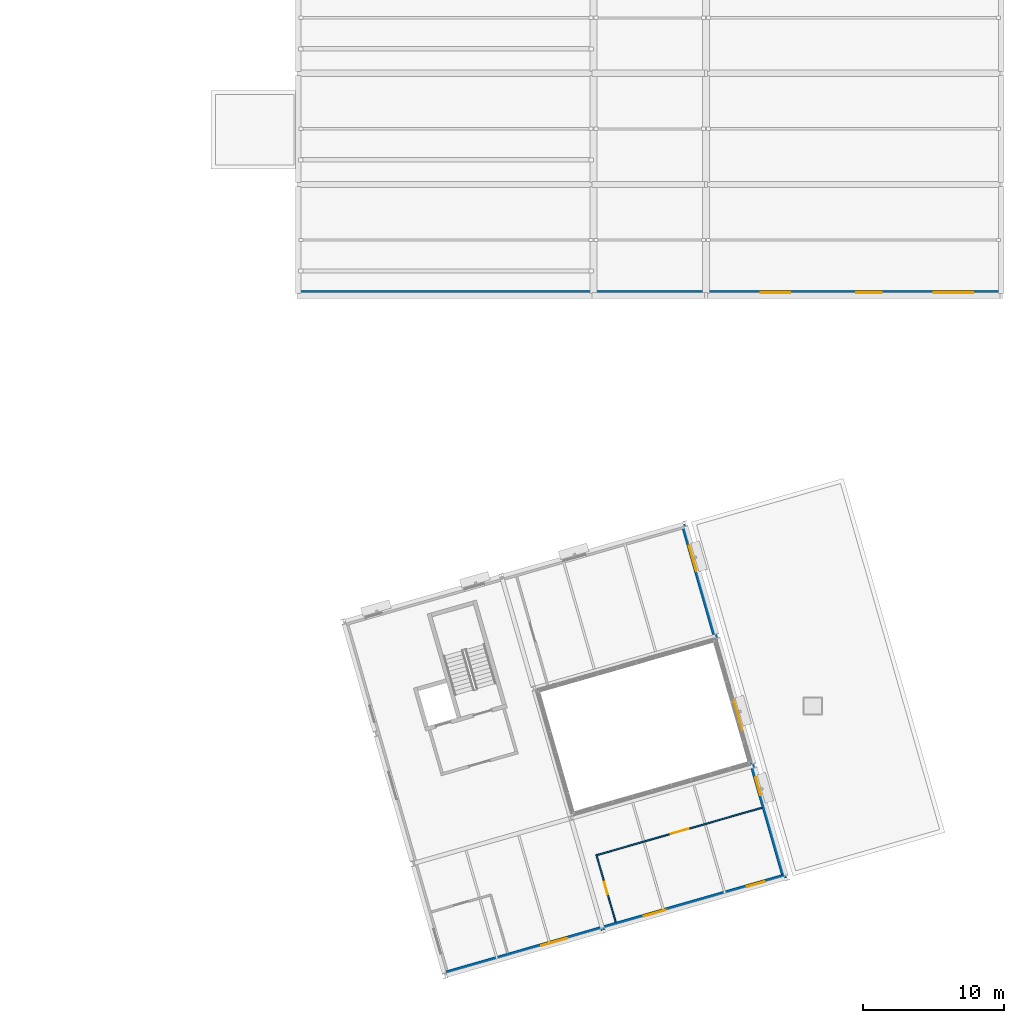
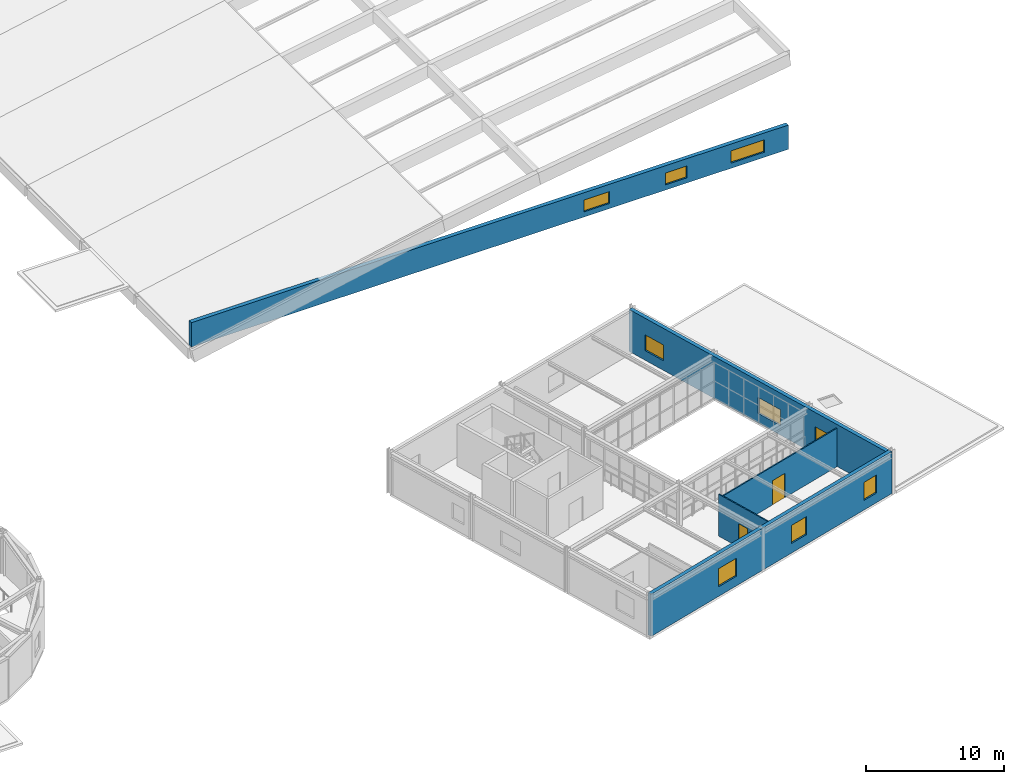
# One storey, part 31 of 44: 9 windows, 5 walls, 2 doors, 11 openings.
"""IFC4 building model written with IfcOpenShell, lengths in metres."""

from ifc_helpers import new_model, si_unit, direction, frame, frame_2d, origin, place, context, subcontext, project, spatial, rectangle, extrude, material, layer, layer_set, type_object, element, fill, save


model = new_model("IFC4")

# Units and contexts
model_context = context("Model", 3, precision=1e-05, world=origin(), true_north=direction((0.0, 1.0)))
body_context = subcontext(model_context, "Body", "Model", "MODEL_VIEW")
ifc_project = project(units=[si_unit("LENGTHUNIT", "METRE"), si_unit("AREAUNIT", "SQUARE_METRE"), si_unit("VOLUMEUNIT", "CUBIC_METRE"), si_unit("PLANEANGLEUNIT", "RADIAN"), si_unit("MASSUNIT", "GRAM", prefix="KILO")], contexts=[model_context])

# Site, building, storey
site_placement = place(None, origin())
site = spatial("IfcSite", under=ifc_project, at=site_placement, CompositionType="ELEMENT")
building_placement = place(site_placement, origin())
building = spatial("IfcBuilding", under=site, at=building_placement, Name="Varnklinge Art Gallery", CompositionType="ELEMENT")
storey_placement = place(building_placement, frame((0.0, 0.0, 13.679931640625)))
storey = spatial("IfcBuildingStorey", under=building, at=storey_placement, Name="L03", CompositionType="ELEMENT", Elevation=13.679931640625)

# Wall, openings, windows
ifc_material_1 = material(Name="Precast concrete C40/50", Category="concrete")
ifc_layer_1 = layer(ifc_material_1, 0.320068359375)
ifc_layer_set_1 = layer_set([ifc_layer_1], Name="Precast concrete C40/50")
wall_type_1 = type_object("IfcWallType", Name="EW-32", PredefinedType="SOLIDWALL", material=ifc_layer_set_1)
wall_1_placement = place(storey_placement, frame((141.77197265625, 41.9228515625, 0.0), z_axis=(0.0, 0.0, 1.0), x_axis=(0.275633622707, -0.961262766383, 0.0)))
wall_1 = element("IfcWall", 1, at=wall_1_placement, inside=storey, type_object=wall_type_1, Name="L03 Exterior Wall EW-V6-L03-03", PredefinedType="SOLIDWALL", context=body_context, shape_type="SweptSolid", body=[
    extrude(rectangle(XDim=26.0400390625, YDim=0.320068359375, at=frame_2d((13.02001953125, 0.0))), origin(), (0.0, 0.0, 1.0), 3.719970703125),
])
opening_1_placement = place(wall_1_placement, frame((1.60009765625, 0.0, 0.85009765625)))
opening_1 = element("IfcOpeningElement", 2, at=opening_1_placement, cuts=wall_1, Name="Opening WN-24", PredefinedType="OPENING", context=body_context, shape_type="SweptSolid", body=[
    extrude(rectangle(XDim=1.85009765625, YDim=1.39990234375, at=frame_2d((0.925048828125, 0.699951171875))), frame((0.0, 0.170166015625, 0.0), z_axis=(0.0, -1.0, 0.0), x_axis=(1.0, 0.0, 0.0)), (0.0, 0.0, 1.0), 0.340087890625),
])
opening_2_placement = place(wall_1_placement, frame((13.02001953125, 0.0, 0.85009765625)))
opening_2 = element("IfcOpeningElement", 3, at=opening_2_placement, cuts=wall_1, Name="Opening WN-26", PredefinedType="OPENING", context=body_context, shape_type="SweptSolid", body=[
    extrude(rectangle(XDim=2.25, YDim=1.39990234375, at=frame_2d((1.125, 0.699951171875))), frame((0.0, 0.170166015625, 0.0), z_axis=(0.0, -1.0, 0.0), x_axis=(1.0, 0.0, 0.0)), (0.0, 0.0, 1.0), 0.340087890625),
])
opening_3_placement = place(wall_1_placement, frame((18.72998046875, 0.0, 0.85009765625)))
opening_3 = element("IfcOpeningElement", 4, at=opening_3_placement, cuts=wall_1, Name="Opening WN-27", PredefinedType="OPENING", context=body_context, shape_type="SweptSolid", body=[
    extrude(rectangle(XDim=1.300048828125, YDim=1.60009765625, at=frame_2d((0.64990234375, 0.800048828125))), frame((0.0, 0.170166015625, 0.0), z_axis=(0.0, -1.0, 0.0), x_axis=(1.0, 0.0, 0.0)), (0.0, 0.0, 1.0), 0.340087890625),
])
ifc_material_2 = material(Name="Insulated Low-E Triple Glazing", Category="glass")
window_type_1 = type_object("IfcWindowType", Name="WN-24", PartitioningType="SINGLE_PANEL", PredefinedType="WINDOW", material=ifc_material_2)
window_1_placement = place(opening_1_placement, origin())
window_1 = element("IfcWindow", 5, at=window_1_placement, inside=storey, type_object=window_type_1, Name="L03 Window WIN-L03-194", OverallHeight=1.39990234375, OverallWidth=1.85009765625, PartitioningType="SINGLE_PANEL", PredefinedType="WINDOW", context=body_context, shape_type="SweptSolid", body=[
    extrude(rectangle(XDim=1.85009765625, YDim=1.39990234375, at=frame_2d((0.925048828125, 0.699951171875))), frame((0.0, 0.030029296875, 0.0), z_axis=(0.0, -1.0, 0.0), x_axis=(1.0, 0.0, 0.0)), (0.0, 0.0, 1.0), 0.06005859375),
])
fill(opening_1, window_1)
ifc_material_3 = material(Name="Insulated Low-E Triple Glazing", Category="glass")
window_type_2 = type_object("IfcWindowType", Name="WN-26", PartitioningType="SINGLE_PANEL", PredefinedType="WINDOW", material=ifc_material_3)
window_2_placement = place(opening_2_placement, origin())
window_2 = element("IfcWindow", 6, at=window_2_placement, inside=storey, type_object=window_type_2, Name="L03 Window WIN-L03-195", OverallHeight=1.39990234375, OverallWidth=2.25, PartitioningType="SINGLE_PANEL", PredefinedType="WINDOW", context=body_context, shape_type="SweptSolid", body=[
    extrude(rectangle(XDim=2.25, YDim=1.39990234375, at=frame_2d((1.125, 0.699951171875))), frame((0.0, 0.030029296875, 0.0), z_axis=(0.0, -1.0, 0.0), x_axis=(1.0, 0.0, 0.0)), (0.0, 0.0, 1.0), 0.06005859375),
])
fill(opening_2, window_2)
ifc_material_4 = material(Name="Insulated Low-E Triple Glazing", Category="glass")
window_type_3 = type_object("IfcWindowType", Name="WN-27", PartitioningType="SINGLE_PANEL", PredefinedType="WINDOW", material=ifc_material_4)
window_3_placement = place(opening_3_placement, origin())
window_3 = element("IfcWindow", 7, at=window_3_placement, inside=storey, type_object=window_type_3, Name="L03 Window WIN-L03-196", OverallHeight=1.60009765625, OverallWidth=1.300048828125, PartitioningType="SINGLE_PANEL", PredefinedType="WINDOW", context=body_context, shape_type="SweptSolid", body=[
    extrude(rectangle(XDim=1.300048828125, YDim=1.60009765625, at=frame_2d((0.64990234375, 0.800048828125))), frame((0.0, 0.030029296875, 0.0), z_axis=(0.0, -1.0, 0.0), x_axis=(1.0, 0.0, 0.0)), (0.0, 0.0, 1.0), 0.06005859375),
])
fill(opening_3, window_3)

wall_2_placement = place(storey_placement, frame((149.103271484375, 16.935546875, 0.0), z_axis=(0.0, 0.0, 1.0), x_axis=(-0.961262224101, -0.275635513888, 0.0)))
wall_2 = element("IfcWall", 8, at=wall_2_placement, inside=storey, type_object=wall_type_1, Name="L03 Exterior Wall EW-V6-L03-04", PredefinedType="SOLIDWALL", context=body_context, shape_type="SweptSolid", body=[
    extrude(rectangle(XDim=25.139892578125, YDim=0.320068359375, at=frame_2d((12.56982421875, 0.0))), origin(), (0.0, 0.0, 1.0), 3.719970703125),
])
opening_4_placement = place(wall_2_placement, frame((1.60009765625, 0.0, 0.85009765625)))
opening_4 = element("IfcOpeningElement", 9, at=opening_4_placement, cuts=wall_2, Name="Opening WN-27", PredefinedType="OPENING", context=body_context, shape_type="SweptSolid", body=[
    extrude(rectangle(XDim=1.300048828125, YDim=1.60009765625, at=frame_2d((0.64990234375, 0.800048828125))), frame((0.0, 0.170166015625, 0.0), z_axis=(0.0, -1.0, 0.0), x_axis=(1.0, 0.0, 0.0)), (0.0, 0.0, 1.0), 0.340087890625),
])
opening_5_placement = place(wall_2_placement, frame((8.913330078125, 0.0, 0.85009765625)))
opening_5 = element("IfcOpeningElement", 10, at=opening_5_placement, cuts=wall_2, Name="Opening WN-28", PredefinedType="OPENING", context=body_context, shape_type="SweptSolid", body=[
    extrude(rectangle(XDim=1.60009765625, YDim=1.60009765625, at=frame_2d((0.800048828125, 0.800048828125))), frame((0.0, 0.170166015625, 0.0), z_axis=(0.0, -1.0, 0.0), x_axis=(1.0, 0.0, 0.0)), (0.0, 0.0, 1.0), 0.340087890625),
])
opening_6_placement = place(wall_2_placement, frame((16.226806640625, 0.0, 0.85009765625)))
opening_6 = element("IfcOpeningElement", 11, at=opening_6_placement, cuts=wall_2, Name="Opening WN-29", PredefinedType="OPENING", context=body_context, shape_type="SweptSolid", body=[
    extrude(rectangle(XDim=1.89990234375, YDim=1.60009765625, at=frame_2d((0.949951171875, 0.800048828125))), frame((0.0, 0.170166015625, 0.0), z_axis=(0.0, -1.0, 0.0), x_axis=(1.0, 0.0, 0.0)), (0.0, 0.0, 1.0), 0.340087890625),
])
window_4_placement = place(opening_4_placement, origin())
window_4 = element("IfcWindow", 12, at=window_4_placement, inside=storey, type_object=window_type_3, Name="L03 Window WIN-L03-197", OverallHeight=1.60009765625, OverallWidth=1.300048828125, PartitioningType="SINGLE_PANEL", PredefinedType="WINDOW", context=body_context, shape_type="SweptSolid", body=[
    extrude(rectangle(XDim=1.300048828125, YDim=1.60009765625, at=frame_2d((0.64990234375, 0.800048828125))), frame((0.0, 0.030029296875, 0.0), z_axis=(0.0, -1.0, 0.0), x_axis=(1.0, 0.0, 0.0)), (0.0, 0.0, 1.0), 0.06005859375),
])
fill(opening_4, window_4)
ifc_material_5 = material(Name="Insulated Low-E Triple Glazing", Category="glass")
window_type_4 = type_object("IfcWindowType", Name="WN-28", PartitioningType="SINGLE_PANEL", PredefinedType="WINDOW", material=ifc_material_5)
window_5_placement = place(opening_5_placement, origin())
window_5 = element("IfcWindow", 13, at=window_5_placement, inside=storey, type_object=window_type_4, Name="L03 Window WIN-L03-198", OverallHeight=1.60009765625, OverallWidth=1.60009765625, PartitioningType="SINGLE_PANEL", PredefinedType="WINDOW", context=body_context, shape_type="SweptSolid", body=[
    extrude(rectangle(XDim=1.60009765625, YDim=1.60009765625, at=frame_2d((0.800048828125, 0.800048828125))), frame((0.0, 0.030029296875, 0.0), z_axis=(0.0, -1.0, 0.0), x_axis=(1.0, 0.0, 0.0)), (0.0, 0.0, 1.0), 0.06005859375),
])
fill(opening_5, window_5)
ifc_material_6 = material(Name="Insulated Low-E Triple Glazing", Category="glass")
window_type_5 = type_object("IfcWindowType", Name="WN-29", PartitioningType="SINGLE_PANEL", PredefinedType="WINDOW", material=ifc_material_6)
window_6_placement = place(opening_6_placement, origin())
window_6 = element("IfcWindow", 14, at=window_6_placement, inside=storey, type_object=window_type_5, Name="L03 Window WIN-L03-199", OverallHeight=1.60009765625, OverallWidth=1.89990234375, PartitioningType="SINGLE_PANEL", PredefinedType="WINDOW", context=body_context, shape_type="SweptSolid", body=[
    extrude(rectangle(XDim=1.89990234375, YDim=1.60009765625, at=frame_2d((0.949951171875, 0.800048828125))), frame((0.0, 0.030029296875, 0.0), z_axis=(0.0, -1.0, 0.0), x_axis=(1.0, 0.0, 0.0)), (0.0, 0.0, 1.0), 0.06005859375),
])
fill(opening_6, window_6)

ifc_material_7 = material(Name="Precast concrete C40/50", Category="concrete")
ifc_layer_2 = layer(ifc_material_7, 0.340087890625)
ifc_layer_set_2 = layer_set([ifc_layer_2], Name="Precast concrete C40/50")
wall_type_2 = type_object("IfcWallType", Name="EW-34", PredefinedType="SOLIDWALL", material=ifc_layer_set_2)
wall_3_placement = place(storey_placement, frame((164.39990234375, 58.39990234375, 0.0), z_axis=(0.0, 0.0, 1.0), x_axis=(-1.0, 0.0, 0.0)))
wall_3 = element("IfcWall", 15, at=wall_3_placement, inside=storey, type_object=wall_type_2, Name="L03 Shell Hall S Clerestory Monitor Wall", PredefinedType="SOLIDWALL", context=body_context, shape_type="SweptSolid", body=[
    extrude(rectangle(XDim=50.0, YDim=0.340087890625, at=frame_2d((25.0, 0.0))), origin(), (0.0, 0.0, 1.0), 2.150146484375),
])
opening_7_placement = place(wall_3_placement, frame((2.0, 0.0, 0.449951171875)))
opening_7 = element("IfcOpeningElement", 16, at=opening_7_placement, cuts=wall_3, Name="Opening SKY-02", PredefinedType="OPENING", context=body_context, shape_type="SweptSolid", body=[
    extrude(rectangle(XDim=2.800048828125, YDim=1.10009765625, at=frame_2d((1.39990234375, 0.550048828125))), frame((0.0, 0.179931640625, 0.0), z_axis=(0.0, -1.0, 0.0), x_axis=(1.0, 0.0, 0.0)), (0.0, 0.0, 1.0), 0.360107421875),
])
opening_8_placement = place(wall_3_placement, frame((8.5, 0.0, 0.449951171875)))
opening_8 = element("IfcOpeningElement", 17, at=opening_8_placement, cuts=wall_3, Name="Opening SKY-03", PredefinedType="OPENING", context=body_context, shape_type="SweptSolid", body=[
    extrude(rectangle(XDim=1.800048828125, YDim=1.050048828125, at=frame_2d((0.89990234375, 0.52490234375))), frame((0.0, 0.179931640625, 0.0), z_axis=(0.0, -1.0, 0.0), x_axis=(1.0, 0.0, 0.0)), (0.0, 0.0, 1.0), 0.360107421875),
])
opening_9_placement = place(wall_3_placement, frame((15.0, 0.0, 0.449951171875)))
opening_9 = element("IfcOpeningElement", 18, at=opening_9_placement, cuts=wall_3, Name="Opening SKY-04", PredefinedType="OPENING", context=body_context, shape_type="SweptSolid", body=[
    extrude(rectangle(XDim=2.10009765625, YDim=1.050048828125, at=frame_2d((1.050048828125, 0.52490234375))), frame((0.0, 0.179931640625, 0.0), z_axis=(0.0, -1.0, 0.0), x_axis=(1.0, 0.0, 0.0)), (0.0, 0.0, 1.0), 0.360107421875),
])
ifc_material_8 = material(Name="Insulated Low-E Triple Glazing", Category="glass")
window_type_6 = type_object("IfcWindowType", Name="SKY-02", PartitioningType="SINGLE_PANEL", PredefinedType="SKYLIGHT", material=ifc_material_8)
window_7_placement = place(opening_7_placement, origin())
window_7 = element("IfcWindow", 19, at=window_7_placement, inside=storey, type_object=window_type_6, Name="L03 Window WIN-L03-047", OverallHeight=1.10009765625, OverallWidth=2.800048828125, PartitioningType="SINGLE_PANEL", PredefinedType="SKYLIGHT", context=body_context, shape_type="SweptSolid", body=[
    extrude(rectangle(XDim=2.800048828125, YDim=1.10009765625, at=frame_2d((1.39990234375, 0.550048828125))), frame((0.0, 0.030029296875, 0.0), z_axis=(0.0, -1.0, 0.0), x_axis=(1.0, 0.0, 0.0)), (0.0, 0.0, 1.0), 0.06005859375),
])
fill(opening_7, window_7)
ifc_material_9 = material(Name="Insulated Low-E Triple Glazing", Category="glass")
window_type_7 = type_object("IfcWindowType", Name="SKY-03", PartitioningType="SINGLE_PANEL", PredefinedType="SKYLIGHT", material=ifc_material_9)
window_8_placement = place(opening_8_placement, origin())
window_8 = element("IfcWindow", 20, at=window_8_placement, inside=storey, type_object=window_type_7, Name="L03 Window WIN-L03-048", OverallHeight=1.050048828125, OverallWidth=1.800048828125, PartitioningType="SINGLE_PANEL", PredefinedType="SKYLIGHT", context=body_context, shape_type="SweptSolid", body=[
    extrude(rectangle(XDim=1.800048828125, YDim=1.050048828125, at=frame_2d((0.89990234375, 0.52490234375))), frame((0.0, 0.030029296875, 0.0), z_axis=(0.0, -1.0, 0.0), x_axis=(1.0, 0.0, 0.0)), (0.0, 0.0, 1.0), 0.06005859375),
])
fill(opening_8, window_8)
ifc_material_10 = material(Name="Insulated Low-E Triple Glazing", Category="glass")
window_type_8 = type_object("IfcWindowType", Name="SKY-04", PartitioningType="SINGLE_PANEL", PredefinedType="SKYLIGHT", material=ifc_material_10)
window_9_placement = place(opening_9_placement, origin())
window_9 = element("IfcWindow", 21, at=window_9_placement, inside=storey, type_object=window_type_8, Name="L03 Window WIN-L03-049", OverallHeight=1.050048828125, OverallWidth=2.10009765625, PartitioningType="SINGLE_PANEL", PredefinedType="SKYLIGHT", context=body_context, shape_type="SweptSolid", body=[
    extrude(rectangle(XDim=2.10009765625, YDim=1.050048828125, at=frame_2d((1.050048828125, 0.52490234375))), frame((0.0, 0.030029296875, 0.0), z_axis=(0.0, -1.0, 0.0), x_axis=(1.0, 0.0, 0.0)), (0.0, 0.0, 1.0), 0.06005859375),
])
fill(opening_9, window_9)

# Wall, opening, door
ifc_material_11 = material(Name="Gypsum Board Partition", Category="gypsum")
ifc_layer_3 = layer(ifc_material_11, 0.10009765625)
ifc_layer_set_3 = layer_set([ifc_layer_3], Name="Gypsum Board Partition")
wall_type_3 = type_object("IfcWallType", Name="IW-10", PredefinedType="PARTITIONING", material=ifc_layer_set_3)
wall_4_placement = place(storey_placement, frame((135.59521484375, 18.440673828125, 0.0), z_axis=(0.0, 0.0, 1.0), x_axis=(0.275635629977, -0.961262190813, 0.0)))
wall_4 = element("IfcWall", 22, at=wall_4_placement, inside=storey, type_object=wall_type_3, Name="L03 Partition Wall IW-L03-0349", PredefinedType="PARTITIONING", context=body_context, shape_type="SweptSolid", body=[
    extrude(rectangle(XDim=5.006103515625, YDim=0.10009765625, at=frame_2d((2.5029296875, 0.0))), origin(), (0.0, 0.0, 1.0), 3.7099609375),
])
opening_10_placement = place(wall_4_placement, frame((2.04296875, 0.0, 0.0)))
opening_10 = element("IfcOpeningElement", 23, at=opening_10_placement, cuts=wall_4, Name="Opening D-L03-262", PredefinedType="OPENING", context=body_context, shape_type="SweptSolid", body=[
    extrude(rectangle(XDim=0.919921875, YDim=2.080078125, at=frame_2d((0.4599609375, 1.0400390625))), frame((0.0, 0.06005859375, 0.0), z_axis=(0.0, -1.0, 0.0), x_axis=(1.0, 0.0, 0.0)), (0.0, 0.0, 1.0), 0.1201171875),
])
ifc_material_12 = material(Name="Oak Timber Leaf", Category="wood")
door_type_1 = type_object("IfcDoorType", Name="ID-01", OperationType="SINGLE_SWING_LEFT", PredefinedType="DOOR", material=ifc_material_12)
door_1_placement = place(opening_10_placement, origin())
door_1 = element("IfcDoor", 24, at=door_1_placement, inside=storey, type_object=door_type_1, Name="L03 L03 Visiting Curator Office Door D-L03-262", OperationType="SINGLE_SWING_RIGHT", OverallHeight=2.080078125, OverallWidth=0.919921875, PredefinedType="DOOR", context=body_context, shape_type="SweptSolid", body=[
    extrude(rectangle(XDim=0.919921875, YDim=2.080078125, at=frame_2d((0.4599609375, 1.0400390625))), frame((0.0, 0.02490234375, 0.0), z_axis=(0.0, -1.0, 0.0), x_axis=(1.0, 0.0, 0.0)), (0.0, 0.0, 1.0), 0.050048828125),
])
fill(opening_10, door_1)

wall_5_placement = place(storey_placement, frame((147.38330078125, 21.75830078125, 0.0), z_axis=(0.0, 0.0, 1.0), x_axis=(-0.961263335306, -0.275631638597, 0.0)))
wall_5 = element("IfcWall", 25, at=wall_5_placement, inside=storey, type_object=wall_type_3, Name="L03 Partition Wall IW-L03-0350", PredefinedType="PARTITIONING", context=body_context, shape_type="SweptSolid", body=[
    extrude(rectangle(XDim=12.180908203125, YDim=0.10009765625, at=frame_2d((6.09033203125, 0.0))), origin(), (0.0, 0.0, 1.0), 3.400146484375),
])
opening_11_placement = place(wall_5_placement, frame((5.4404296875, 0.0, 0.0)))
opening_11 = element("IfcOpeningElement", 26, at=opening_11_placement, cuts=wall_5, Name="Opening D-L03-263", PredefinedType="OPENING", context=body_context, shape_type="SweptSolid", body=[
    extrude(rectangle(XDim=1.300048828125, YDim=2.14990234375, at=frame_2d((0.64990234375, 1.074951171875))), frame((0.0, 0.06005859375, 0.0), z_axis=(0.0, -1.0, 0.0), x_axis=(1.0, 0.0, 0.0)), (0.0, 0.0, 1.0), 0.1201171875),
])
ifc_material_13 = material(Name="Oak Timber Leaf", Category="wood")
door_type_2 = type_object("IfcDoorType", Name="ID-11", OperationType="SINGLE_SWING_LEFT", PredefinedType="DOOR", material=ifc_material_13)
door_2_placement = place(opening_11_placement, origin())
door_2 = element("IfcDoor", 27, at=door_2_placement, inside=storey, type_object=door_type_2, Name="L03 L03 Visiting Curator Office Door D-L03-263", OperationType="SINGLE_SWING_LEFT", OverallHeight=2.14990234375, OverallWidth=1.300048828125, PredefinedType="DOOR", context=body_context, shape_type="SweptSolid", body=[
    extrude(rectangle(XDim=1.300048828125, YDim=2.14990234375, at=frame_2d((0.64990234375, 1.074951171875))), frame((0.0, 0.02490234375, 0.0), z_axis=(0.0, -1.0, 0.0), x_axis=(1.0, 0.0, 0.0)), (0.0, 0.0, 1.0), 0.050048828125),
])
fill(opening_11, door_2)

save(model, "model.ifc")
